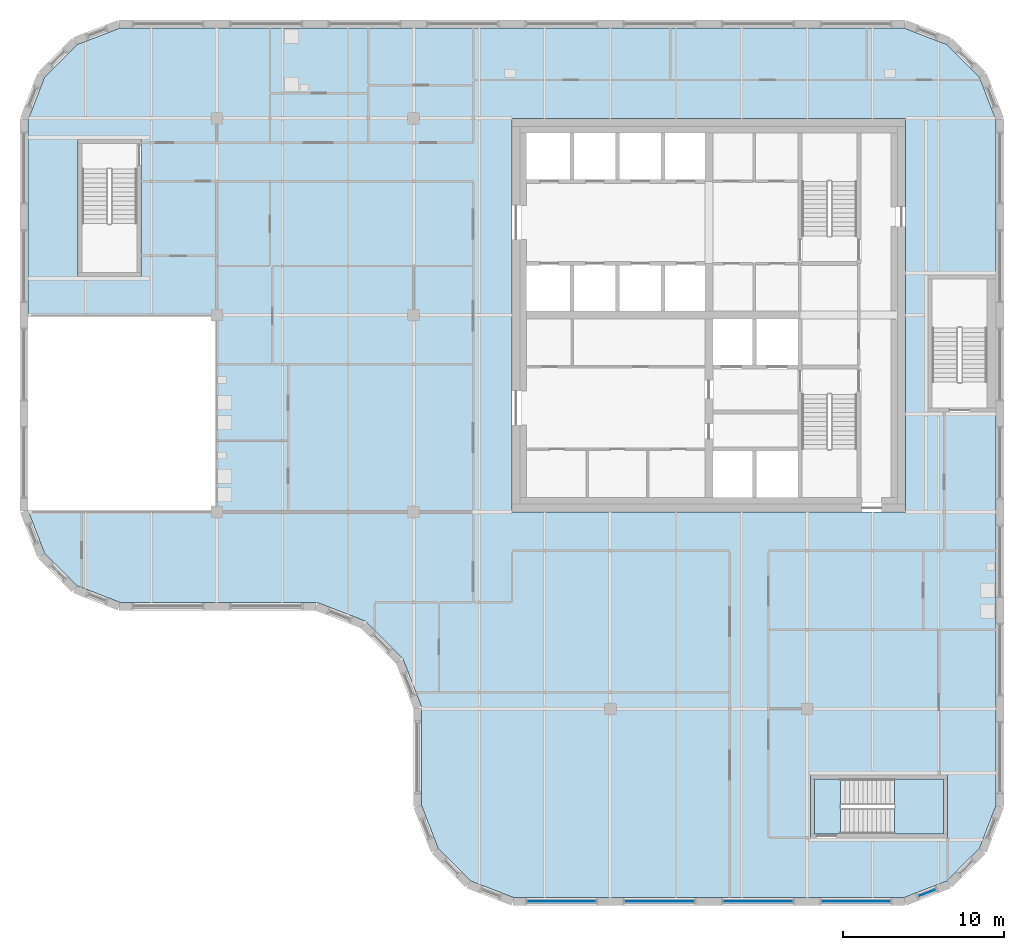
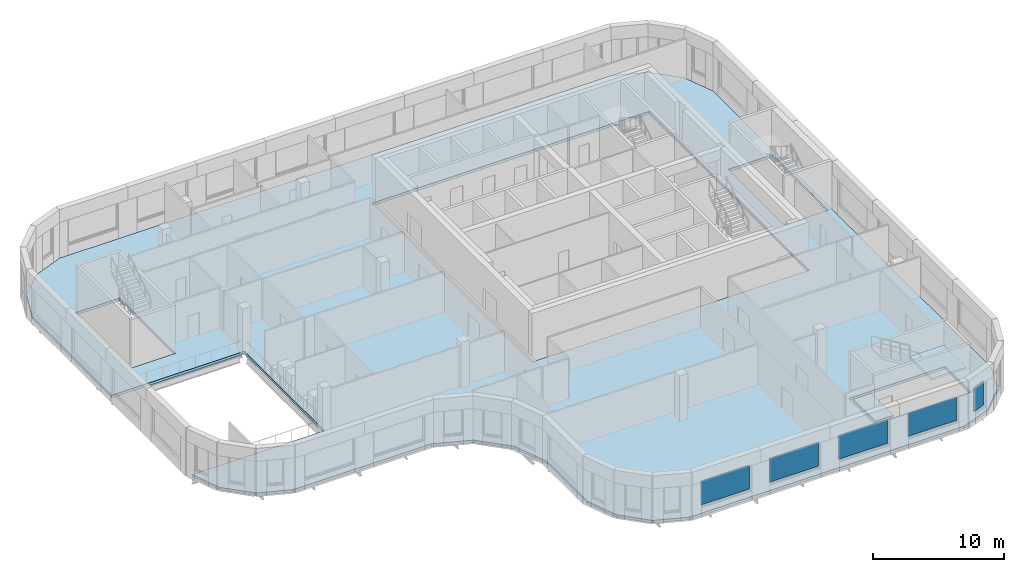
# One storey, part 7 of 21: 5 plates, 3 slabs, 6 elements without a shape of their own.
"""IFC4 building model written with IfcOpenShell, lengths in metres."""

from ifc_helpers import new_model, si_unit, direction, frame, origin, origin_2d, place, context, subcontext, project, spatial, polyline, rectangle, outline, extrude, material, layer, layer_set, type_object, element, aggregate, save


model = new_model("IFC4")

# Units and contexts
model_context = context("Model", 3, precision=1e-05, world=origin(), true_north=direction((0.0, 1.0)))
body_context = subcontext(model_context, "Body", "Model", "MODEL_VIEW")
ifc_project = project(units=[si_unit("LENGTHUNIT", "METRE"), si_unit("AREAUNIT", "SQUARE_METRE"), si_unit("VOLUMEUNIT", "CUBIC_METRE"), si_unit("PLANEANGLEUNIT", "RADIAN"), si_unit("MASSUNIT", "GRAM", prefix="KILO")], contexts=[model_context])

# Site, building, storey
site_placement = place(None, origin())
site = spatial("IfcSite", under=ifc_project, at=site_placement, CompositionType="ELEMENT")
building_placement = place(site_placement, origin())
building = spatial("IfcBuilding", under=site, at=building_placement, Name="Tessera Gate Towers", CompositionType="ELEMENT")
storey_placement = place(building_placement, frame((0.0, 0.0, 193.39990234375)))
storey = spatial("IfcBuildingStorey", under=building, at=storey_placement, Name="L48", CompositionType="ELEMENT", Elevation=193.39990234375)

# Slabs
ifc_material_1 = material(Name="Concrete C35/45", Category="concrete")
ifc_layer_1 = layer(ifc_material_1, 0.25)
ifc_layer_set_1 = layer_set([ifc_layer_1], Name="COMPOSITE FLOOR 250")
slab_type_1 = type_object("IfcSlabType", Name="COMPOSITE FLOOR 250", PredefinedType="FLOOR", material=ifc_layer_set_1)
slab_1_placement = place(storey_placement, frame((0.0, 0.0, -0.25)))
element("IfcSlab", 1, at=slab_1_placement, inside=storey, type_object=slab_type_1, Name="T1-L48", PredefinedType="FLOOR", context=body_context, shape_type="SweptSolid", body=[
    extrude(outline(polyline([(0.5, 36.60009765625), (12.199951171875, 36.60009765625), (12.199951171875, 24.39990234375), (0.535888671875, 24.39990234375), (1.526123046875, 21.8330078125), (3.533203125, 19.826171875), (6.193115234375, 18.800048828125), (18.39306640625, 18.800048828125), (21.42431640625, 17.630615234375), (23.730712890625, 15.32421875), (24.89990234375, 12.293212890625), (24.89990234375, 6.193115234375), (25.926025390625, 3.533203125), (27.93310546875, 1.526123046875), (30.593017578125, 0.5), (54.806884765625, 0.5), (57.466796875, 1.526123046875), (59.473876953125, 3.533203125), (60.5, 6.193115234375), (60.5, 48.706787109375), (59.473876953125, 51.366943359375), (57.466796875, 53.373779296875), (54.806884765625, 54.39990234375), (6.193115234375, 54.39990234375), (3.533203125, 53.373779296875), (1.526123046875, 51.366943359375), (0.5, 48.706787109375), (0.5, 36.60009765625)]), holes=[polyline([(3.60009765625, 39.0), (3.60009765625, 47.5), (7.5, 47.5), (7.5, 39.0), (3.60009765625, 39.0)]), polyline([(30.5, 24.39990234375), (30.5, 48.800048828125), (54.89990234375, 48.800048828125), (54.89990234375, 24.39990234375), (30.5, 24.39990234375)]), polyline([(49.0, 4.199951171875), (49.0, 8.10009765625), (57.5, 8.10009765625), (57.5, 4.199951171875), (49.0, 4.199951171875)]), polyline([(56.300048828125, 30.60009765625), (56.300048828125, 39.10009765625), (60.199951171875, 39.10009765625), (60.199951171875, 30.60009765625), (56.300048828125, 30.60009765625)])]), origin(), (0.0, 0.0, 1.0), 0.25),
])
ifc_material_2 = material(Name="Concrete C35/45", Category="concrete")
ifc_layer_2 = layer(ifc_material_2, 0.25)
ifc_layer_set_2 = layer_set([ifc_layer_2], Name="CORE FLOOR SLAB 250")
slab_type_2 = type_object("IfcSlabType", Name="CORE FLOOR SLAB 250", PredefinedType="FLOOR", material=ifc_layer_set_2)
slab_2_placement = place(storey_placement, frame((0.0, 0.0, -0.25)))
element("IfcSlab", 2, at=slab_2_placement, inside=storey, type_object=slab_type_2, Name="L48 ST4 floor landing", PredefinedType="FLOOR", context=body_context, shape_type="SweptSolid", body=[
    extrude(outline(polyline([(49.25, 4.449951171875), (50.85009765625, 4.449951171875), (50.85009765625, 7.85009765625), (49.25, 7.85009765625), (49.25, 4.449951171875)])), origin(), (0.0, 0.0, 1.0), 0.25),
])

# Stair, slab
ifc_material_3 = material(Name="Concrete C40/50", Category="concrete")
stair_type = type_object("IfcStairType", Name="EXIT STAIR ST4B 1600", PredefinedType="HALF_TURN_STAIR", material=ifc_material_3)
stair_placement = place(storey_placement, origin())
stair = element("IfcStair", 3, at=stair_placement, inside=storey, type_object=stair_type, Name="L48 South Exit Stair ST4", PredefinedType="HALF_TURN_STAIR")
ifc_material_4 = material(Name="Concrete C40/50", Category="concrete")
ifc_layer_3 = layer(ifc_material_4, 0.199951171875)
ifc_layer_set_3 = layer_set([ifc_layer_3], Name="EXIT STAIR LANDING 200")
slab_type_3 = type_object("IfcSlabType", Name="EXIT STAIR LANDING 200", PredefinedType="LANDING", material=ifc_layer_set_3)
slab_3_placement = place(storey_placement, frame((0.0, 0.0, 2.050048828125)))
slab_3 = element("IfcSlab", 4, at=slab_3_placement, type_object=slab_type_3, Name="ST4 landing 1", PredefinedType="LANDING", context=body_context, shape_type="SweptSolid", body=[
    extrude(outline(polyline([(54.2099609375, 4.449951171875), (57.25, 4.449951171875), (57.25, 7.85009765625), (54.2099609375, 7.85009765625), (54.2099609375, 4.449951171875)])), origin(), (0.0, 0.0, 1.0), 0.199951171875),
])
aggregate(stair, [slab_3])

# Curtain wall, plate
ifc_material_5 = material(Name="Aluminium frame", Category="aluminium")
curtain_wall_type = type_object("IfcCurtainWallType", Name="CW-S3 amenity floor glazing", PredefinedType="NOTDEFINED", material=ifc_material_5)
curtain_wall_1_placement = place(storey_placement, origin())
curtain_wall_1 = element("IfcCurtainWall", 5, at=curtain_wall_1_placement, inside=storey, type_object=curtain_wall_type, Name="Curtain wall amenity floor glazing 0045", PredefinedType="NOTDEFINED")
ifc_material_6 = material(Name="Low-e laminated glass", Category="glass")
ifc_layer_4 = layer(ifc_material_6, 0.035888671875)
ifc_layer_set_4 = layer_set([ifc_layer_4], Name="PN-S3 glass panel 36")
plate_type = type_object("IfcPlateType", Name="PN-S3 glass panel 36", PredefinedType="CURTAIN_PANEL", material=ifc_layer_set_4)
plate_1_placement = place(storey_placement, frame((33.5732421875, 0.25, 1.0), z_axis=(0.0, 0.0, 1.0), x_axis=(1.0, 0.0, 0.0)))
plate_1 = element("IfcPlate", 6, at=plate_1_placement, type_object=plate_type, Name="T1-CW3-0045 panel 1.1", PredefinedType="CURTAIN_PANEL", context=body_context, shape_type="SweptSolid", body=[
    extrude(rectangle(XDim=4.25341796875, YDim=0.035888671875, at=origin_2d()), origin(), (0.0, 0.0, 1.0), 2.199951171875),
])
aggregate(curtain_wall_1, [plate_1])

curtain_wall_2_placement = place(storey_placement, origin())
curtain_wall_2 = element("IfcCurtainWall", 7, at=curtain_wall_2_placement, inside=storey, type_object=curtain_wall_type, Name="Curtain wall amenity floor glazing 0046", PredefinedType="NOTDEFINED")
plate_2_placement = place(storey_placement, frame((39.64990234375, 0.25, 1.0), z_axis=(0.0, 0.0, 1.0), x_axis=(1.0, 0.0, 0.0)))
plate_2 = element("IfcPlate", 8, at=plate_2_placement, type_object=plate_type, Name="T1-CW3-0046 panel 1.1", PredefinedType="CURTAIN_PANEL", context=body_context, shape_type="SweptSolid", body=[
    extrude(rectangle(XDim=4.300048828125, YDim=0.035888671875, at=origin_2d()), origin(), (0.0, 0.0, 1.0), 2.199951171875),
])
aggregate(curtain_wall_2, [plate_2])

curtain_wall_3_placement = place(storey_placement, origin())
curtain_wall_3 = element("IfcCurtainWall", 9, at=curtain_wall_3_placement, inside=storey, type_object=curtain_wall_type, Name="Curtain wall amenity floor glazing 0047", PredefinedType="NOTDEFINED")
plate_3_placement = place(storey_placement, frame((45.75, 0.25, 1.0), z_axis=(0.0, 0.0, 1.0), x_axis=(1.0, 0.0, 0.0)))
plate_3 = element("IfcPlate", 10, at=plate_3_placement, type_object=plate_type, Name="T1-CW3-0047 panel 1.1", PredefinedType="CURTAIN_PANEL", context=body_context, shape_type="SweptSolid", body=[
    extrude(rectangle(XDim=4.300048828125, YDim=0.035888671875, at=origin_2d()), origin(), (0.0, 0.0, 1.0), 2.199951171875),
])
aggregate(curtain_wall_3, [plate_3])

curtain_wall_4_placement = place(storey_placement, origin())
curtain_wall_4 = element("IfcCurtainWall", 11, at=curtain_wall_4_placement, inside=storey, type_object=curtain_wall_type, Name="Curtain wall amenity floor glazing 0048", PredefinedType="NOTDEFINED")
plate_4_placement = place(storey_placement, frame((51.82666015625, 0.25, 1.0), z_axis=(0.0, 0.0, 1.0), x_axis=(1.0, 0.0, 0.0)))
plate_4 = element("IfcPlate", 12, at=plate_4_placement, type_object=plate_type, Name="T1-CW3-0048 panel 1.1", PredefinedType="CURTAIN_PANEL", context=body_context, shape_type="SweptSolid", body=[
    extrude(rectangle(XDim=4.25341796875, YDim=0.035888671875, at=origin_2d()), origin(), (0.0, 0.0, 1.0), 2.199951171875),
])
aggregate(curtain_wall_4, [plate_4])

curtain_wall_5_placement = place(storey_placement, origin())
curtain_wall_5 = element("IfcCurtainWall", 13, at=curtain_wall_5_placement, inside=storey, type_object=curtain_wall_type, Name="Curtain wall amenity floor glazing 0049", PredefinedType="NOTDEFINED")
plate_5_placement = place(storey_placement, frame((56.22998046875, 0.781005859375, 1.0), z_axis=(0.0, 0.0, 1.0), x_axis=(0.932989314041, 0.359904070394, 0.0)))
plate_5 = element("IfcPlate", 14, at=plate_5_placement, type_object=plate_type, Name="T1-CW3-0049 panel 1.1", PredefinedType="CURTAIN_PANEL", context=body_context, shape_type="SweptSolid", body=[
    extrude(rectangle(XDim=1.150634765625, YDim=0.035888671875, at=origin_2d()), origin(), (0.0, 0.0, 1.0), 2.199951171875),
])
aggregate(curtain_wall_5, [plate_5])

save(model, "model.ifc")
